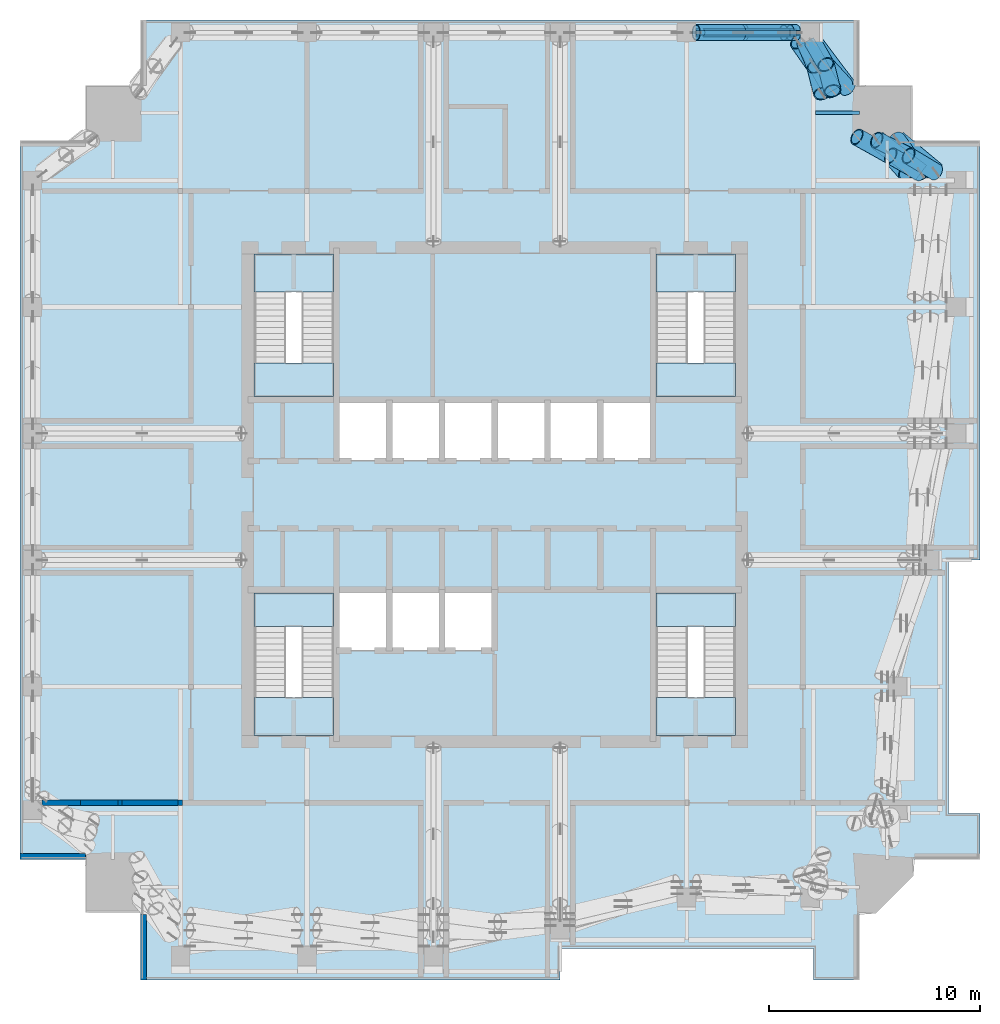
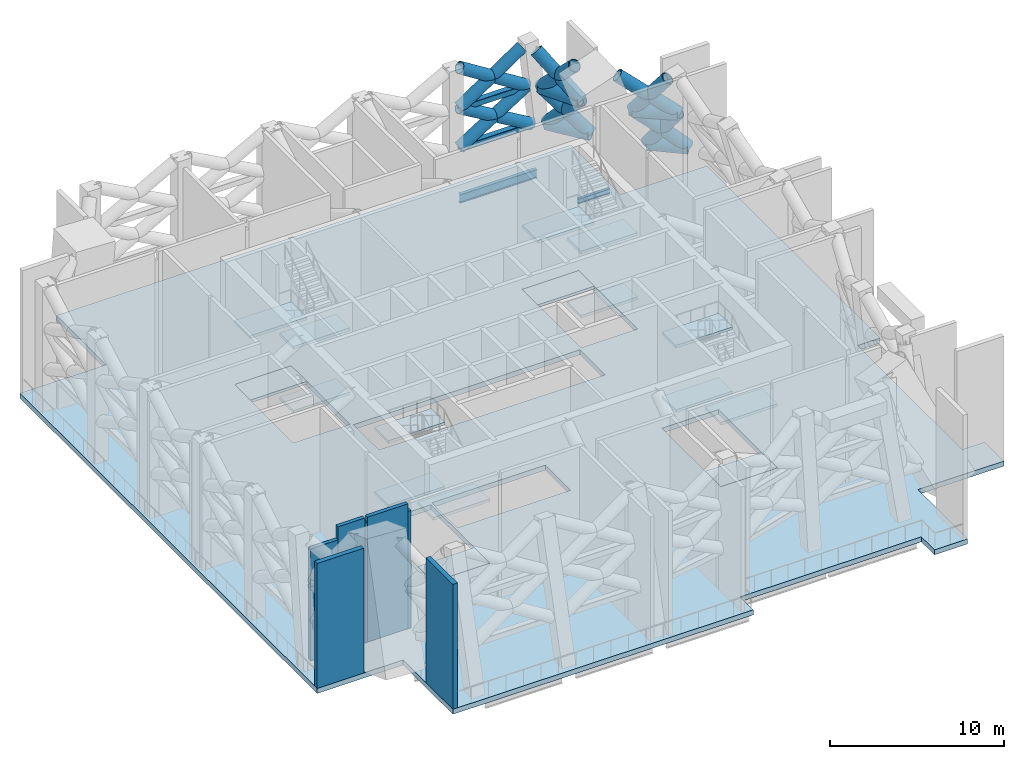
# One storey, part 6 of 18: 18 members, 17 slabs, 8 beams, 7 walls, 4 elements without a shape of their own.
"""IFC4 building model written with IfcOpenShell, lengths in metres."""

from ifc_helpers import new_model, si_unit, direction, frame, frame_2d, origin, origin_2d, place, context, subcontext, project, spatial, polyline, rectangle, hollow_rectangle, hollow_circle, i_section, outline, extrude, material, layer, layer_set, material_profile, profile_set, type_object, element, aggregate, save


model = new_model("IFC4")

# Units and contexts
model_context = context("Model", 3, precision=1e-05, world=origin(), true_north=direction((0.0, 1.0)))
body_context = subcontext(model_context, "Body", "Model", "MODEL_VIEW")
ifc_project = project(units=[si_unit("LENGTHUNIT", "METRE"), si_unit("AREAUNIT", "SQUARE_METRE"), si_unit("VOLUMEUNIT", "CUBIC_METRE"), si_unit("PLANEANGLEUNIT", "RADIAN"), si_unit("MASSUNIT", "GRAM", prefix="KILO")], contexts=[model_context])

# Site, building, storey
site_placement = place(None, origin())
site = spatial("IfcSite", under=ifc_project, at=site_placement, CompositionType="ELEMENT")
building_placement = place(site_placement, origin())
building = spatial("IfcBuilding", under=site, at=building_placement, Name="Amberfall Residences", CompositionType="ELEMENT")
storey_placement = place(building_placement, frame((0.0, 0.0, 229.89990234375)))
storey = spatial("IfcBuildingStorey", under=building, at=storey_placement, Name="L62", CompositionType="ELEMENT", Elevation=229.89990234375)

# Beams
ifc_material_1 = material(Name="Steel S355", Category="steel")
ifc_material_profile_1 = material_profile(ifc_material_1, hollow_circle(Radius=0.457275390625, WallThickness=0.06005859375, at=origin_2d()), Name="CHS 914.4x60")
ifc_profile_set_1 = profile_set([ifc_material_profile_1], Name="Steel S355")
beam_type_1 = type_object("IfcBeamType", Name="Belt truss chord BT CHS 914.4x60", PredefinedType="BEAM", material=ifc_profile_set_1)
beam_1_placement = place(storey_placement, frame((93.56689453125, 62.330078125, 3.0), z_axis=(0.767988389116, -0.640463764926, 0.0), x_axis=(0.640463764926, 0.767988389116, 0.0)))
element("IfcBeam", 1, at=beam_1_placement, inside=storey, type_object=beam_type_1, Name="Belt truss chord BT2 L62 NEE", PredefinedType="BEAM", context=body_context, shape_type="SweptSolid", body=[
    extrude(hollow_circle(Radius=0.457275390625, WallThickness=0.06005859375, at=origin_2d()), origin(), (0.0, 0.0, 1.0), 2.406494140625),
])
beam_2_placement = place(storey_placement, frame((92.60791015625, 62.3154296875, 5.646484375), z_axis=(0.800883507871, -0.598820179036, 0.0), x_axis=(0.598820179036, 0.800883507871, 0.0)))
element("IfcBeam", 2, at=beam_2_placement, inside=storey, type_object=beam_type_1, Name="Belt truss chord BT2 L62 NEEm", PredefinedType="BEAM", context=body_context, shape_type="SweptSolid", body=[
    extrude(hollow_circle(Radius=0.457275390625, WallThickness=0.06005859375, at=origin_2d()), origin(), (0.0, 0.0, 1.0), 2.616943359375),
])
beam_3_placement = place(storey_placement, frame((91.2216796875, 64.7685546875, 3.0), z_axis=(-0.600958526276, 0.799280207246, 0.0), x_axis=(-0.799280207246, -0.600958526276, 0.0)))
element("IfcBeam", 3, at=beam_3_placement, inside=storey, type_object=beam_type_1, Name="Belt truss chord BT2 L62 NEN", PredefinedType="BEAM", context=body_context, shape_type="SweptSolid", body=[
    extrude(hollow_circle(Radius=0.457275390625, WallThickness=0.06005859375, at=origin_2d()), origin(), (0.0, 0.0, 1.0), 2.729248046875),
])
beam_4_placement = place(storey_placement, frame((90.507080078125, 64.63818359375, 5.646484375), z_axis=(-0.489399613068, 0.872059641727, 0.0), x_axis=(-0.872059641727, -0.489399613068, 0.0)))
element("IfcBeam", 4, at=beam_4_placement, inside=storey, type_object=beam_type_1, Name="Belt truss chord BT2 L62 NENm", PredefinedType="BEAM", context=body_context, shape_type="SweptSolid", body=[
    extrude(hollow_circle(Radius=0.457275390625, WallThickness=0.06005859375, at=origin_2d()), origin(), (0.0, 0.0, 1.0), 2.65087890625),
])
ifc_material_profile_2 = material_profile(ifc_material_1, hollow_rectangle(XDim=0.39990234375, YDim=0.39990234375, WallThickness=0.02001953125, InnerFilletRadius=0.02001953125, OuterFilletRadius=0.030029296875, at=origin_2d()), Name="RHS 400x400x20")
ifc_profile_set_2 = profile_set([ifc_material_profile_2], Name="Steel S355")
beam_type_2 = type_object("IfcBeamType", Name="Belt truss chord BT RHS 400x400x20", PredefinedType="BEAM", material=ifc_profile_set_2)
beam_5_placement = place(storey_placement, frame((84.050048828125, 67.39990234375, 2.900146484375), z_axis=(1.0, 0.0, 0.0), x_axis=(0.0, 1.0, 0.0)))
element("IfcBeam", 5, at=beam_5_placement, inside=storey, type_object=beam_type_2, Name="Belt truss chord BT3 L62 N5", PredefinedType="BEAM", context=body_context, shape_type="SweptSolid", body=[
    extrude(hollow_rectangle(XDim=0.39990234375, YDim=0.39990234375, WallThickness=0.02001953125, InnerFilletRadius=0.02001953125, OuterFilletRadius=0.030029296875, at=origin_2d()), origin(), (0.0, 0.0, 1.0), 4.75390625),
])
beam_6_placement = place(storey_placement, frame((84.050048828125, 67.39990234375, 5.7001953125), z_axis=(1.0, 0.0, 0.0), x_axis=(0.0, 1.0, 0.0)))
element("IfcBeam", 6, at=beam_6_placement, inside=storey, type_object=beam_type_2, Name="Belt truss chord BT3 L62 N5m", PredefinedType="BEAM", context=body_context, shape_type="SweptSolid", body=[
    extrude(hollow_rectangle(XDim=0.39990234375, YDim=0.39990234375, WallThickness=0.02001953125, InnerFilletRadius=0.02001953125, OuterFilletRadius=0.030029296875, at=origin_2d()), origin(), (0.0, 0.0, 1.0), 4.451416015625),
])

# Members
ifc_material_profile_3 = material_profile(ifc_material_1, hollow_circle(Radius=0.381103515625, WallThickness=0.0400390625, at=origin_2d()), Name="CHS 762x40")
ifc_profile_set_3 = profile_set([ifc_material_profile_3], Name="Steel S355")
member_type_1 = type_object("IfcMemberType", Name="Belt truss diagonal BT CHS 762x40", PredefinedType="BRACE", material=ifc_profile_set_3)
member_1_placement = place(storey_placement, frame((84.050048828125, 67.39990234375, 2.900146484375), z_axis=(0.846463790157, 0.0, 0.532446290205), x_axis=(0.0, 1.0, 0.0)))
element("IfcMember", 7, at=member_1_placement, inside=storey, type_object=member_type_1, Name="Belt truss diagonal BT4 L62 N5d", PredefinedType="BRACE", context=body_context, shape_type="SweptSolid", body=[
    extrude(hollow_circle(Radius=0.381103515625, WallThickness=0.0400390625, at=origin_2d()), origin(), (0.0, 0.0, 1.0), 5.2587890625),
])
member_2_placement = place(storey_placement, frame((84.050048828125, 67.39990234375, 5.7001953125), z_axis=(0.861647082821, 0.0, -0.50750793557), x_axis=(0.0, 1.0, 0.0)))
element("IfcMember", 8, at=member_2_placement, inside=storey, type_object=member_type_1, Name="Belt truss diagonal BT4 L62 N5e", PredefinedType="BRACE", context=body_context, shape_type="SweptSolid", body=[
    extrude(hollow_circle(Radius=0.381103515625, WallThickness=0.0400390625, at=origin_2d()), origin(), (0.0, 0.0, 1.0), 2.66796875),
])
member_3_placement = place(storey_placement, frame((86.348876953125, 67.39990234375, 4.34619140625), z_axis=(0.861645522922, 0.0, -0.507510583957), x_axis=(0.0, 1.0, 0.0)))
element("IfcMember", 9, at=member_3_placement, inside=storey, type_object=member_type_1, Name="Belt truss diagonal BT4 L62 N5e2", PredefinedType="BRACE", context=body_context, shape_type="SweptSolid", body=[
    extrude(hollow_circle(Radius=0.381103515625, WallThickness=0.0400390625, at=origin_2d()), origin(), (0.0, 0.0, 1.0), 2.849365234375),
])
member_4_placement = place(storey_placement, frame((84.050048828125, 67.39990234375, 5.7001953125), z_axis=(0.828900130337, 0.0, 0.559396615942), x_axis=(0.0, 1.0, 0.0)))
element("IfcMember", 10, at=member_4_placement, inside=storey, type_object=member_type_1, Name="Belt truss diagonal BT4 L62 N5du", PredefinedType="BRACE", context=body_context, shape_type="SweptSolid", body=[
    extrude(hollow_circle(Radius=0.381103515625, WallThickness=0.0400390625, at=origin_2d()), origin(), (0.0, 0.0, 1.0), 5.005126953125),
])
member_5_placement = place(storey_placement, frame((84.050048828125, 67.39990234375, 8.5), z_axis=(0.846502725102, 0.0, -0.53238438782), x_axis=(0.0, 1.0, 0.0)))
element("IfcMember", 11, at=member_5_placement, inside=storey, type_object=member_type_1, Name="Belt truss diagonal BT4 L62 N5eu", PredefinedType="BRACE", context=body_context, shape_type="SweptSolid", body=[
    extrude(hollow_circle(Radius=0.381103515625, WallThickness=0.0400390625, at=origin_2d()), origin(), (0.0, 0.0, 1.0), 2.536865234375),
])
member_6_placement = place(storey_placement, frame((86.197509765625, 67.39990234375, 7.1494140625), z_axis=(0.846467925188, 0.0, -0.532439716426), x_axis=(0.0, 1.0, 0.0)))
element("IfcMember", 12, at=member_6_placement, inside=storey, type_object=member_type_1, Name="Belt truss diagonal BT4 L62 N5e2u", PredefinedType="BRACE", context=body_context, shape_type="SweptSolid", body=[
    extrude(hollow_circle(Radius=0.381103515625, WallThickness=0.0400390625, at=origin_2d()), origin(), (0.0, 0.0, 1.0), 2.721923828125),
])
ifc_material_profile_4 = material_profile(ifc_material_1, hollow_circle(Radius=0.406494140625, WallThickness=0.050048828125, at=origin_2d()), Name="CHS 813x50")
ifc_profile_set_4 = profile_set([ifc_material_profile_4], Name="Steel S355")
member_type_2 = type_object("IfcMemberType", Name="Belt truss diagonal BT CHS 813x50", PredefinedType="BRACE", material=ifc_profile_set_4)
member_7_placement = place(storey_placement, frame((93.56689453125, 62.330078125, 3.0), z_axis=(0.345988981856, -0.481353363419, 0.80535120535), x_axis=(0.812002378312, 0.583654124988, 0.0)))
element("IfcMember", 13, at=member_7_placement, inside=storey, type_object=member_type_2, Name="Belt truss diagonal BT5 L62 NEEd", PredefinedType="BRACE", context=body_context, shape_type="SweptSolid", body=[
    extrude(hollow_circle(Radius=0.406494140625, WallThickness=0.050048828125, at=origin_2d()), origin(), (0.0, 0.0, 1.0), 3.2861328125),
])
member_8_placement = place(storey_placement, frame((92.60791015625, 62.3154296875, 5.646484375), z_axis=(0.694495249804, -0.344603750227, -0.631604784125), x_axis=(0.444483376928, 0.895787099502, 0.0)))
element("IfcMember", 14, at=member_8_placement, inside=storey, type_object=member_type_2, Name="Belt truss diagonal BT5 L62 NEEe", PredefinedType="BRACE", context=body_context, shape_type="SweptSolid", body=[
    extrude(hollow_circle(Radius=0.406494140625, WallThickness=0.050048828125, at=origin_2d()), origin(), (0.0, 0.0, 1.0), 2.169921875),
])
member_9_placement = place(storey_placement, frame((94.114990234375, 61.567626953125, 4.27587890625), z_axis=(0.656244177563, -0.393130314822, -0.644043581586), x_axis=(0.513903359791, 0.857848084917, 0.0)))
element("IfcMember", 15, at=member_9_placement, inside=storey, type_object=member_type_2, Name="Belt truss diagonal BT5 L62 NEEe2", PredefinedType="BRACE", context=body_context, shape_type="SweptSolid", body=[
    extrude(hollow_circle(Radius=0.406494140625, WallThickness=0.050048828125, at=origin_2d()), origin(), (0.0, 0.0, 1.0), 1.98095703125),
])
member_10_placement = place(storey_placement, frame((92.60791015625, 62.3154296875, 5.646484375), z_axis=(0.413057132024, -0.465203879588, 0.782923467588), x_axis=(0.747774307712, 0.663952998883, 0.0)))
element("IfcMember", 16, at=member_10_placement, inside=storey, type_object=member_type_2, Name="Belt truss diagonal BT5 L62 NEEdu", PredefinedType="BRACE", context=body_context, shape_type="SweptSolid", body=[
    extrude(hollow_circle(Radius=0.406494140625, WallThickness=0.050048828125, at=origin_2d()), origin(), (0.0, 0.0, 1.0), 3.38037109375),
])
member_11_placement = place(storey_placement, frame((91.66552734375, 62.464599609375, 8.29296875), z_axis=(0.696302182984, -0.388352929076, -0.603610199094), x_axis=(0.487097549172, 0.873347569751, 0.0)))
element("IfcMember", 17, at=member_11_placement, inside=storey, type_object=member_type_2, Name="Belt truss diagonal BT5 L62 NEEeu", PredefinedType="BRACE", context=body_context, shape_type="SweptSolid", body=[
    extrude(hollow_circle(Radius=0.406494140625, WallThickness=0.050048828125, at=origin_2d()), origin(), (0.0, 0.0, 1.0), 2.3046875),
])
member_12_placement = place(storey_placement, frame((93.270263671875, 61.569580078125, 6.90185546875), z_axis=(0.690885477603, -0.395800195275, -0.604995423337), x_axis=(0.497093450615, 0.867697010111, 0.0)))
element("IfcMember", 18, at=member_12_placement, inside=storey, type_object=member_type_2, Name="Belt truss diagonal BT5 L62 NEEe2u", PredefinedType="BRACE", context=body_context, shape_type="SweptSolid", body=[
    extrude(hollow_circle(Radius=0.406494140625, WallThickness=0.050048828125, at=origin_2d()), origin(), (0.0, 0.0, 1.0), 2.074951171875),
])
member_13_placement = place(storey_placement, frame((91.2216796875, 64.7685546875, 3.0), z_axis=(-0.505998256285, 0.548609928396, 0.665577126336), x_axis=(-0.735077791318, -0.677982773167, 0.0)))
element("IfcMember", 19, at=member_13_placement, inside=storey, type_object=member_type_2, Name="Belt truss diagonal BT5 L62 NENd", PredefinedType="BRACE", context=body_context, shape_type="SweptSolid", body=[
    extrude(hollow_circle(Radius=0.406494140625, WallThickness=0.050048828125, at=origin_2d()), origin(), (0.0, 0.0, 1.0), 3.976318359375),
])
member_14_placement = place(storey_placement, frame((90.507080078125, 64.63818359375, 5.646484375), z_axis=(-0.173975231919, 0.685186517705, -0.707284988272), x_axis=(-0.969244399432, -0.246100171005, 0.0)))
element("IfcMember", 20, at=member_14_placement, inside=storey, type_object=member_type_2, Name="Belt truss diagonal BT5 L62 NENe", PredefinedType="BRACE", context=body_context, shape_type="SweptSolid", body=[
    extrude(hollow_circle(Radius=0.406494140625, WallThickness=0.050048828125, at=origin_2d()), origin(), (0.0, 0.0, 1.0), 1.822998046875),
])
member_15_placement = place(storey_placement, frame((90.18994140625, 65.88720703125, 4.357177734375), z_axis=(-0.332825828164, 0.581376737559, -0.742447343003), x_axis=(-0.867850268069, -0.496825836901, 0.0)))
element("IfcMember", 21, at=member_15_placement, inside=storey, type_object=member_type_2, Name="Belt truss diagonal BT5 L62 NENe2", PredefinedType="BRACE", context=body_context, shape_type="SweptSolid", body=[
    extrude(hollow_circle(Radius=0.406494140625, WallThickness=0.050048828125, at=origin_2d()), origin(), (0.0, 0.0, 1.0), 1.827880859375),
])
member_16_placement = place(storey_placement, frame((90.507080078125, 64.63818359375, 5.646484375), z_axis=(-0.419314551073, 0.597245710606, 0.683719875696), x_axis=(-0.818431185991, -0.574604554279, 0.0)))
element("IfcMember", 22, at=member_16_placement, inside=storey, type_object=member_type_2, Name="Belt truss diagonal BT5 L62 NENdu", PredefinedType="BRACE", context=body_context, shape_type="SweptSolid", body=[
    extrude(hollow_circle(Radius=0.406494140625, WallThickness=0.050048828125, at=origin_2d()), origin(), (0.0, 0.0, 1.0), 3.87060546875),
])
member_17_placement = place(storey_placement, frame((90.01220703125, 64.511474609375, 8.29296875), z_axis=(-0.168813223557, 0.685175403889, -0.708545525325), x_axis=(-0.970963988898, -0.239225693149, 0.0)))
element("IfcMember", 23, at=member_17_placement, inside=storey, type_object=member_type_2, Name="Belt truss diagonal BT5 L62 NENeu", PredefinedType="BRACE", context=body_context, shape_type="SweptSolid", body=[
    extrude(hollow_circle(Radius=0.406494140625, WallThickness=0.050048828125, at=origin_2d()), origin(), (0.0, 0.0, 1.0), 1.869873046875),
])
member_18_placement = place(storey_placement, frame((89.696533203125, 65.792724609375, 6.968017578125), z_axis=(-0.267070113458, 0.634860751148, -0.725000262862), x_axis=(-0.921759784756, -0.387761394684, 0.0)))
element("IfcMember", 24, at=member_18_placement, inside=storey, type_object=member_type_2, Name="Belt truss diagonal BT5 L62 NENe2u", PredefinedType="BRACE", context=body_context, shape_type="SweptSolid", body=[
    extrude(hollow_circle(Radius=0.406494140625, WallThickness=0.050048828125, at=origin_2d()), origin(), (0.0, 0.0, 1.0), 1.82275390625),
])

# Beams
ifc_material_profile_5 = material_profile(ifc_material_1, i_section(OverallWidth=0.228271484375, OverallDepth=0.607666015625, WebThickness=0.010986328125, FlangeThickness=0.017333984375, FilletRadius=0.0126953125, at=origin_2d()), Name="UB 610x229x113")
ifc_profile_set_5 = profile_set([ifc_material_profile_5], Name="Steel S355")
beam_type_3 = type_object("IfcBeamType", Name="Edge beam UB 610x229x113", PredefinedType="SPANDREL", material=ifc_profile_set_5)
beam_7_placement = place(storey_placement, frame((84.050048828125, 67.39990234375, -0.65380859375), z_axis=(1.0, 0.0, 0.0), x_axis=(0.0, 1.0, 0.0)))
element("IfcBeam", 25, at=beam_7_placement, inside=storey, type_object=beam_type_3, Name="Edge beam B12 L62 33", PredefinedType="SPANDREL", context=body_context, shape_type="SweptSolid", body=[
    extrude(i_section(OverallWidth=0.228271484375, OverallDepth=0.607666015625, WebThickness=0.010986328125, FlangeThickness=0.017333984375, FilletRadius=0.0126953125, at=origin_2d()), origin(), (0.0, 0.0, 1.0), 5.099853515625),
])
ifc_material_profile_6 = material_profile(ifc_material_1, i_section(OverallWidth=0.171142578125, OverallDepth=0.351318359375, WebThickness=0.007080078125, FlangeThickness=0.009765625, FilletRadius=0.01025390625, at=origin_2d()), Name="UB 356x171x45")
ifc_profile_set_6 = profile_set([ifc_material_profile_6], Name="Steel S355")
beam_type_4 = type_object("IfcBeamType", Name="Link beam UB 356x171x45", PredefinedType="BEAM", material=ifc_profile_set_6)
beam_8_placement = place(storey_placement, frame((91.800048828125, 63.60009765625, -0.525634765625), z_axis=(-1.0, 0.0, 0.0), x_axis=(0.0, -1.0, 0.0)))
element("IfcBeam", 26, at=beam_8_placement, inside=storey, type_object=beam_type_4, Name="Link beam B7 L62 55", PredefinedType="BEAM", context=body_context, shape_type="SweptSolid", body=[
    extrude(i_section(OverallWidth=0.171142578125, OverallDepth=0.351318359375, WebThickness=0.007080078125, FlangeThickness=0.009765625, FilletRadius=0.01025390625, at=origin_2d()), origin(), (0.0, 0.0, 1.0), 2.104736328125),
])

# Slab
ifc_material_2 = material(Name="Concrete C55", Category="concrete")
ifc_layer_1 = layer(ifc_material_2, 0.35009765625)
ifc_layer_set_1 = layer_set([ifc_layer_1], Name="Refuge floor slab 350 C55")
slab_type_1 = type_object("IfcSlabType", Name="Refuge floor slab 350 C55", PredefinedType="FLOOR", material=ifc_layer_set_1)
slab_1_placement = place(storey_placement, frame((0.0, 0.0, -0.349853515625)))
element("IfcSlab", 27, at=slab_1_placement, inside=storey, type_object=slab_type_1, Name="Floor slab S18 L62", PredefinedType="FLOOR", context=body_context, shape_type="SweptSolid", body=[
    extrude(outline(polyline([(89.60009765625, 24.0), (83.60009765625, 24.0), (77.60009765625, 24.0), (77.60009765625, 22.5), (57.699951171875, 22.5), (57.699951171875, 28.199951171875), (52.0, 28.199951171875), (52.0, 31.0), (52.0, 62.0), (52.0, 62.300048828125), (57.699951171875, 62.300048828125), (57.699951171875, 68.0), (58.0, 68.0), (89.0, 68.0), (91.800048828125, 68.0), (91.800048828125, 62.300048828125), (97.5, 62.300048828125), (97.5, 42.39990234375), (96.0, 42.39990234375), (96.0, 36.39990234375), (96.0, 30.39990234375), (97.5, 30.39990234375), (97.5, 28.199951171875), (91.800048828125, 28.199951171875), (91.800048828125, 22.5), (89.60009765625, 22.5), (89.60009765625, 24.0)]), holes=[polyline([(85.89990234375, 34.10009765625), (85.89990234375, 40.85009765625), (82.14990234375, 40.85009765625), (82.14990234375, 34.10009765625), (85.89990234375, 34.10009765625)]), polyline([(85.89990234375, 50.14990234375), (85.89990234375, 56.89990234375), (82.14990234375, 56.89990234375), (82.14990234375, 50.14990234375), (85.89990234375, 50.14990234375)]), polyline([(67.0, 50.0), (67.0, 47.10009765625), (69.5, 47.10009765625), (72.0, 47.10009765625), (74.5, 47.10009765625), (77.0, 47.10009765625), (79.5, 47.10009765625), (82.0, 47.10009765625), (82.0, 50.0), (79.5, 50.0), (77.0, 50.0), (74.5, 50.0), (72.0, 50.0), (69.5, 50.0), (67.0, 50.0)]), polyline([(69.5, 41.0), (67.0, 41.0), (67.0, 38.10009765625), (69.5, 38.10009765625), (72.0, 38.10009765625), (74.5, 38.10009765625), (74.5, 41.0), (72.0, 41.0), (69.5, 41.0)]), polyline([(66.85009765625, 40.85009765625), (63.10009765625, 40.85009765625), (63.10009765625, 34.10009765625), (66.85009765625, 34.10009765625), (66.85009765625, 40.85009765625)]), polyline([(66.85009765625, 56.89990234375), (63.10009765625, 56.89990234375), (63.10009765625, 50.14990234375), (66.85009765625, 50.14990234375), (66.85009765625, 56.89990234375)])]), origin(), (0.0, 0.0, 1.0), 0.349853515625),
])

# Stair, slabs
ifc_material_3 = material(Name="Concrete C40", Category="concrete")
stair_type = type_object("IfcStairType", Name="Exit stair 52 risers 173.1 mm", PredefinedType="HALF_TURN_STAIR", material=ifc_material_3)
stair_1_placement = place(storey_placement, origin())
stair_1 = element("IfcStair", 28, at=stair_1_placement, inside=storey, type_object=stair_type, Name="L62 Exit stair 1", PredefinedType="HALF_TURN_STAIR")
ifc_layer_2 = layer(ifc_material_3, 0.199951171875)
ifc_layer_set_2 = layer_set([ifc_layer_2], Name="Stair landing 200")
slab_type_2 = type_object("IfcSlabType", Name="Stair landing 200", PredefinedType="LANDING", material=ifc_layer_set_2)
slab_2_placement = place(storey_placement, frame((0.0, 0.0, 2.050048828125)))
slab_2 = element("IfcSlab", 29, at=slab_2_placement, type_object=slab_type_2, Name="ST4 landing 1", PredefinedType="LANDING", context=body_context, shape_type="SweptSolid", body=[
    extrude(outline(polyline([(66.85009765625, 39.260009765625), (66.85009765625, 40.85009765625), (63.10009765625, 40.85009765625), (63.10009765625, 39.260009765625), (66.85009765625, 39.260009765625)])), origin(), (0.0, 0.0, 1.0), 0.199951171875),
])
slab_3_placement = place(storey_placement, frame((0.0, 0.0, 4.300048828125)))
slab_3 = element("IfcSlab", 30, at=slab_3_placement, type_object=slab_type_2, Name="ST4 landing 2", PredefinedType="LANDING", context=body_context, shape_type="SweptSolid", body=[
    extrude(outline(polyline([(66.85009765625, 34.10009765625), (66.85009765625, 35.89990234375), (63.10009765625, 35.89990234375), (63.10009765625, 34.10009765625), (66.85009765625, 34.10009765625)])), origin(), (0.0, 0.0, 1.0), 0.199951171875),
])
slab_4_placement = place(storey_placement, frame((0.0, 0.0, 6.550048828125)))
slab_4 = element("IfcSlab", 31, at=slab_4_placement, type_object=slab_type_2, Name="ST4 landing 3", PredefinedType="LANDING", context=body_context, shape_type="SweptSolid", body=[
    extrude(outline(polyline([(66.85009765625, 39.260009765625), (66.85009765625, 40.85009765625), (63.10009765625, 40.85009765625), (63.10009765625, 39.260009765625), (66.85009765625, 39.260009765625)])), origin(), (0.0, 0.0, 1.0), 0.199951171875),
])
slab_5_placement = place(storey_placement, frame((0.0, 0.0, -0.199951171875)))
slab_5 = element("IfcSlab", 32, at=slab_5_placement, type_object=slab_type_2, Name="ST4 landing 4", PredefinedType="LANDING", context=body_context, shape_type="SweptSolid", body=[
    extrude(outline(polyline([(66.85009765625, 34.10009765625), (66.85009765625, 35.89990234375), (63.10009765625, 35.89990234375), (63.10009765625, 34.10009765625), (66.85009765625, 34.10009765625)])), origin(), (0.0, 0.0, 1.0), 0.199951171875),
])
aggregate(stair_1, [slab_2, slab_3, slab_4, slab_5])

stair_2_placement = place(storey_placement, origin())
stair_2 = element("IfcStair", 33, at=stair_2_placement, inside=storey, type_object=stair_type, Name="L62 Exit stair 2", PredefinedType="HALF_TURN_STAIR")
slab_6_placement = place(storey_placement, frame((0.0, 0.0, 2.050048828125)))
slab_6 = element("IfcSlab", 34, at=slab_6_placement, type_object=slab_type_2, Name="ST4 landing 1", PredefinedType="LANDING", context=body_context, shape_type="SweptSolid", body=[
    extrude(outline(polyline([(85.89990234375, 39.260009765625), (85.89990234375, 40.85009765625), (82.14990234375, 40.85009765625), (82.14990234375, 39.260009765625), (85.89990234375, 39.260009765625)])), origin(), (0.0, 0.0, 1.0), 0.199951171875),
])
slab_7_placement = place(storey_placement, frame((0.0, 0.0, 4.300048828125)))
slab_7 = element("IfcSlab", 35, at=slab_7_placement, type_object=slab_type_2, Name="ST4 landing 2", PredefinedType="LANDING", context=body_context, shape_type="SweptSolid", body=[
    extrude(outline(polyline([(85.89990234375, 34.10009765625), (85.89990234375, 35.89990234375), (82.14990234375, 35.89990234375), (82.14990234375, 34.10009765625), (85.89990234375, 34.10009765625)])), origin(), (0.0, 0.0, 1.0), 0.199951171875),
])
slab_8_placement = place(storey_placement, frame((0.0, 0.0, 6.550048828125)))
slab_8 = element("IfcSlab", 36, at=slab_8_placement, type_object=slab_type_2, Name="ST4 landing 3", PredefinedType="LANDING", context=body_context, shape_type="SweptSolid", body=[
    extrude(outline(polyline([(85.89990234375, 39.260009765625), (85.89990234375, 40.85009765625), (82.14990234375, 40.85009765625), (82.14990234375, 39.260009765625), (85.89990234375, 39.260009765625)])), origin(), (0.0, 0.0, 1.0), 0.199951171875),
])
slab_9_placement = place(storey_placement, frame((0.0, 0.0, -0.199951171875)))
slab_9 = element("IfcSlab", 37, at=slab_9_placement, type_object=slab_type_2, Name="ST4 landing 4", PredefinedType="LANDING", context=body_context, shape_type="SweptSolid", body=[
    extrude(outline(polyline([(85.89990234375, 34.10009765625), (85.89990234375, 35.89990234375), (82.14990234375, 35.89990234375), (82.14990234375, 34.10009765625), (85.89990234375, 34.10009765625)])), origin(), (0.0, 0.0, 1.0), 0.199951171875),
])
aggregate(stair_2, [slab_6, slab_7, slab_8, slab_9])

stair_3_placement = place(storey_placement, origin())
stair_3 = element("IfcStair", 38, at=stair_3_placement, inside=storey, type_object=stair_type, Name="L62 Exit stair 3", PredefinedType="HALF_TURN_STAIR")
slab_10_placement = place(storey_placement, frame((0.0, 0.0, 2.050048828125)))
slab_10 = element("IfcSlab", 39, at=slab_10_placement, type_object=slab_type_2, Name="ST4 landing 1", PredefinedType="LANDING", context=body_context, shape_type="SweptSolid", body=[
    extrude(outline(polyline([(82.14990234375, 51.739990234375), (82.14990234375, 50.14990234375), (85.89990234375, 50.14990234375), (85.89990234375, 51.739990234375), (82.14990234375, 51.739990234375)])), origin(), (0.0, 0.0, 1.0), 0.199951171875),
])
slab_11_placement = place(storey_placement, frame((0.0, 0.0, 4.300048828125)))
slab_11 = element("IfcSlab", 40, at=slab_11_placement, type_object=slab_type_2, Name="ST4 landing 2", PredefinedType="LANDING", context=body_context, shape_type="SweptSolid", body=[
    extrude(outline(polyline([(82.14990234375, 56.89990234375), (82.14990234375, 55.10009765625), (85.89990234375, 55.10009765625), (85.89990234375, 56.89990234375), (82.14990234375, 56.89990234375)])), origin(), (0.0, 0.0, 1.0), 0.199951171875),
])
slab_12_placement = place(storey_placement, frame((0.0, 0.0, 6.550048828125)))
slab_12 = element("IfcSlab", 41, at=slab_12_placement, type_object=slab_type_2, Name="ST4 landing 3", PredefinedType="LANDING", context=body_context, shape_type="SweptSolid", body=[
    extrude(outline(polyline([(82.14990234375, 51.739990234375), (82.14990234375, 50.14990234375), (85.89990234375, 50.14990234375), (85.89990234375, 51.739990234375), (82.14990234375, 51.739990234375)])), origin(), (0.0, 0.0, 1.0), 0.199951171875),
])
slab_13_placement = place(storey_placement, frame((0.0, 0.0, -0.199951171875)))
slab_13 = element("IfcSlab", 42, at=slab_13_placement, type_object=slab_type_2, Name="ST4 landing 4", PredefinedType="LANDING", context=body_context, shape_type="SweptSolid", body=[
    extrude(outline(polyline([(82.14990234375, 56.89990234375), (82.14990234375, 55.10009765625), (85.89990234375, 55.10009765625), (85.89990234375, 56.89990234375), (82.14990234375, 56.89990234375)])), origin(), (0.0, 0.0, 1.0), 0.199951171875),
])
aggregate(stair_3, [slab_10, slab_11, slab_12, slab_13])

stair_4_placement = place(storey_placement, origin())
stair_4 = element("IfcStair", 43, at=stair_4_placement, inside=storey, type_object=stair_type, Name="L62 Exit stair 4", PredefinedType="HALF_TURN_STAIR")
slab_14_placement = place(storey_placement, frame((0.0, 0.0, 2.050048828125)))
slab_14 = element("IfcSlab", 44, at=slab_14_placement, type_object=slab_type_2, Name="ST4 landing 1", PredefinedType="LANDING", context=body_context, shape_type="SweptSolid", body=[
    extrude(outline(polyline([(63.10009765625, 51.739990234375), (63.10009765625, 50.14990234375), (66.85009765625, 50.14990234375), (66.85009765625, 51.739990234375), (63.10009765625, 51.739990234375)])), origin(), (0.0, 0.0, 1.0), 0.199951171875),
])
slab_15_placement = place(storey_placement, frame((0.0, 0.0, 4.300048828125)))
slab_15 = element("IfcSlab", 45, at=slab_15_placement, type_object=slab_type_2, Name="ST4 landing 2", PredefinedType="LANDING", context=body_context, shape_type="SweptSolid", body=[
    extrude(outline(polyline([(63.10009765625, 56.89990234375), (63.10009765625, 55.10009765625), (66.85009765625, 55.10009765625), (66.85009765625, 56.89990234375), (63.10009765625, 56.89990234375)])), origin(), (0.0, 0.0, 1.0), 0.199951171875),
])
slab_16_placement = place(storey_placement, frame((0.0, 0.0, 6.550048828125)))
slab_16 = element("IfcSlab", 46, at=slab_16_placement, type_object=slab_type_2, Name="ST4 landing 3", PredefinedType="LANDING", context=body_context, shape_type="SweptSolid", body=[
    extrude(outline(polyline([(63.10009765625, 51.739990234375), (63.10009765625, 50.14990234375), (66.85009765625, 50.14990234375), (66.85009765625, 51.739990234375), (63.10009765625, 51.739990234375)])), origin(), (0.0, 0.0, 1.0), 0.199951171875),
])
slab_17_placement = place(storey_placement, frame((0.0, 0.0, -0.199951171875)))
slab_17 = element("IfcSlab", 47, at=slab_17_placement, type_object=slab_type_2, Name="ST4 landing 4", PredefinedType="LANDING", context=body_context, shape_type="SweptSolid", body=[
    extrude(outline(polyline([(63.10009765625, 56.89990234375), (63.10009765625, 55.10009765625), (66.85009765625, 55.10009765625), (66.85009765625, 56.89990234375), (63.10009765625, 56.89990234375)])), origin(), (0.0, 0.0, 1.0), 0.199951171875),
])
aggregate(stair_4, [slab_14, slab_15, slab_16, slab_17])

# Walls
ifc_material_4 = material(Name="Reinforced concrete C40", Category="concrete")
ifc_layer_3 = layer(ifc_material_4, 0.25)
ifc_layer_set_3 = layer_set([ifc_layer_3], Name="Compartment wall 250")
wall_type_1 = type_object("IfcWallType", Name="Compartment wall 250", PredefinedType="SOLIDWALL", material=ifc_layer_set_3)
wall_1_placement = place(storey_placement, frame((53.050048828125, 30.89990234375, 0.0), z_axis=(0.0, 0.0, 1.0), x_axis=(1.0, 0.0, 0.0)))
element("IfcWall", 48, at=wall_1_placement, inside=storey, type_object=wall_type_1, Name="Compartment wall 250 L62 001", PredefinedType="SOLIDWALL", context=body_context, shape_type="SweptSolid", body=[
    extrude(rectangle(XDim=1.826171875, YDim=0.25, at=frame_2d((0.9130859375, 0.0))), origin(), (0.0, 0.0, 1.0), 7.836181640625),
])
wall_2_placement = place(storey_placement, frame((54.876220703125, 30.89990234375, 0.0), z_axis=(0.0, 0.0, 1.0), x_axis=(1.0, 0.0, 0.0)))
element("IfcWall", 49, at=wall_2_placement, inside=storey, type_object=wall_type_1, Name="Compartment wall 250 L62 002", PredefinedType="SOLIDWALL", context=body_context, shape_type="SweptSolid", body=[
    extrude(rectangle(XDim=1.776611328125, YDim=0.25, at=frame_2d((0.88818359375, 0.0))), origin(), (0.0, 0.0, 1.0), 8.75),
])
wall_3_placement = place(storey_placement, frame((56.65283203125, 30.89990234375, 0.0), z_axis=(0.0, 0.0, 1.0), x_axis=(1.0, 0.0, 0.0)))
element("IfcWall", 50, at=wall_3_placement, inside=storey, type_object=wall_type_1, Name="Compartment wall 250 L62 003", PredefinedType="SOLIDWALL", context=body_context, shape_type="SweptSolid", body=[
    extrude(rectangle(XDim=0.171142578125, YDim=0.25, at=frame_2d((0.08544921875, 0.0))), origin(), (0.0, 0.0, 1.0), 8.399169921875),
])
wall_4_placement = place(storey_placement, frame((56.823974609375, 30.89990234375, 0.0), z_axis=(0.0, 0.0, 1.0), x_axis=(1.0, 0.0, 0.0)))
element("IfcWall", 51, at=wall_4_placement, inside=storey, type_object=wall_type_1, Name="Compartment wall 250 L62 004", PredefinedType="SOLIDWALL", context=body_context, shape_type="SweptSolid", body=[
    extrude(rectangle(XDim=2.67138671875, YDim=0.25, at=frame_2d((1.335693359375, 0.0))), origin(), (0.0, 0.0, 1.0), 8.75),
])
wall_5_placement = place(storey_placement, frame((59.495361328125, 30.89990234375, 0.0), z_axis=(0.0, 0.0, 1.0), x_axis=(1.0, 0.0, 0.0)))
element("IfcWall", 52, at=wall_5_placement, inside=storey, type_object=wall_type_1, Name="Compartment wall 250 L62 005", PredefinedType="SOLIDWALL", context=body_context, shape_type="SweptSolid", body=[
    extrude(rectangle(XDim=0.209228515625, YDim=0.25, at=frame_2d((0.1044921875, 0.0))), origin(), (0.0, 0.0, 1.0), 8.217041015625),
])
ifc_material_5 = material(Name="Bronze aluminium louvre cladding on insulated backing", Category="aluminium")
ifc_layer_4 = layer(ifc_material_5, 0.300048828125)
ifc_layer_set_4 = layer_set([ifc_layer_4], Name="Louvre clad wall 300")
wall_type_2 = type_object("IfcWallType", Name="Louvre clad wall 300", PredefinedType="SOLIDWALL", material=ifc_layer_set_4)
for number, where, z_axis, x_axis, name in (
    (53, (52.0, 28.35009765625, 0.0), (0.0, 0.0, 1.0), (1.0, 0.0, 0.0), "External wall L62 SW"),
    (54, (57.85009765625, 25.60009765625, 0.0), (0.0, 0.0, 1.0), (0.0, -1.0, 0.0), "External wall L62 SW"),
):
    element("IfcWall", number, at=place(storey_placement, frame(where, z_axis=z_axis, x_axis=x_axis)), inside=storey, type_object=wall_type_2, Name=name, PredefinedType="SOLIDWALL", context=body_context, shape_type="SweptSolid", body=[
        extrude(rectangle(XDim=3.10009765625, YDim=0.300048828125, at=frame_2d((1.550048828125, 0.0))), origin(), (0.0, 0.0, 1.0), 8.75),
    ])

save(model, "model.ifc")
